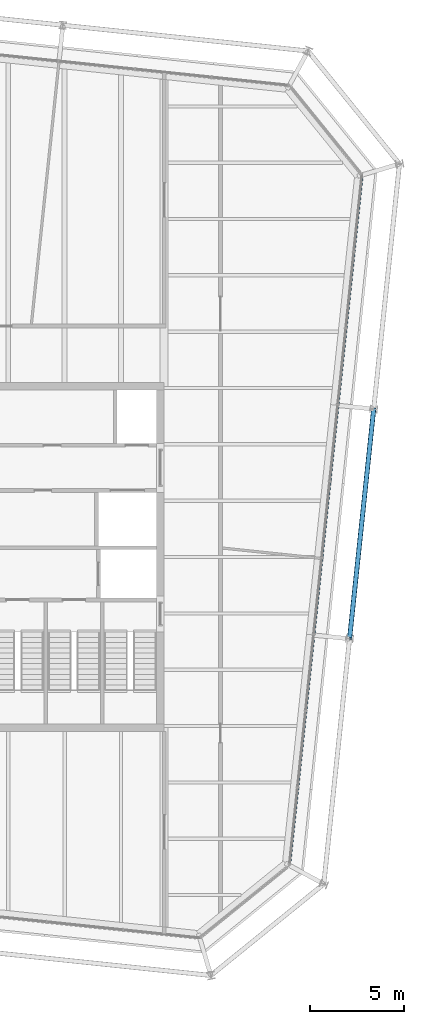
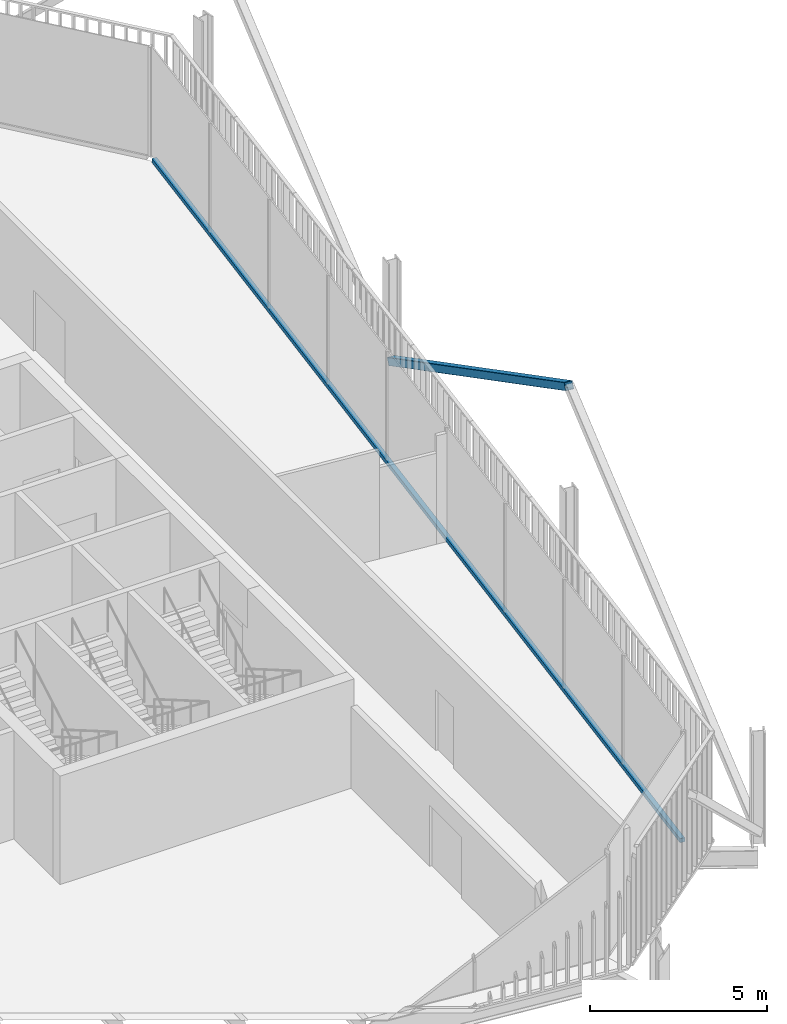
# One storey, part 10 of 21: 2 members, 1 element without a shape of its own.
"""IFC4 building model written with IfcOpenShell, lengths in metres."""

import ifcopenshell
import ifcopenshell.guid

model = None  # the IFC model being written
_history = None  # IfcOwnerHistory: only IFC2X3 demands one
_inside = {}  # id of a spatial element -> (the spatial element, [elements in it])
_under = {}  # id of a project, library or spatial element -> (it, [spatial elements below it])
_declared = {}  # id of a project -> (the project, [libraries it declares])
_typed = {}  # id of a type object -> (the type object, [elements of that type])
_made_of = {}  # id of a material, layer set ... -> (it, [elements and type objects made of it])


def new_model(schema):
    """Start an empty IFC model of exactly this schema.

    Asked for "IFC4X3", IfcOpenShell would pick the latest addendum, in which some entities
    have other attributes; the version numbers below select the first issue.
    IFC2X3 requires an IfcOwnerHistory on every rooted entity: one is made here for all.
    """
    global model, _history
    if schema == "IFC4X3":
        model = ifcopenshell.file(schema_version=(4, 3, 0, 0))
    else:
        model = ifcopenshell.file(schema=schema)
    _inside.clear()
    _under.clear()
    _declared.clear()
    _typed.clear()
    _made_of.clear()
    _history = None
    if model.schema == "IFC2X3":
        org = make("IfcOrganization", Name="unknown")
        user = make(
            "IfcPersonAndOrganization",
            ThePerson=make("IfcPerson", FamilyName="unknown"),
            TheOrganization=org,
        )
        app = make(
            "IfcApplication",
            ApplicationDeveloper=org,
            Version="unknown",
            ApplicationFullName="unknown",
            ApplicationIdentifier="unknown",
        )
        _history = make(
            "IfcOwnerHistory",
            OwningUser=user,
            OwningApplication=app,
            ChangeAction="ADDED",
            CreationDate=0,
        )
    return model


def make(cls, **values):
    """One entity of the class cls with the attributes given. An attribute that is None is left unset."""
    return model.create_entity(
        cls, **{name: value for name, value in values.items() if value is not None}
    )


def rooted(cls, **values):
    """An entity with a GlobalId (a new one), such as an element, a storey or a relation."""
    return make(cls, GlobalId=ifcopenshell.guid.new(), OwnerHistory=_history, **values)


def si_unit(unit_type, name, prefix=None):
    """IfcSIUnit, for example si_unit("LENGTHUNIT", "METRE", prefix="MILLI")."""
    return make("IfcSIUnit", UnitType=unit_type, Prefix=prefix, Name=name)


def assignment(units):
    """IfcUnitAssignment: the units of a project."""
    return None if units is None else make("IfcUnitAssignment", Units=units)


def point(xyz):
    """IfcCartesianPoint."""
    return None if xyz is None else make("IfcCartesianPoint", Coordinates=xyz)


def direction(xyz):
    """IfcDirection."""
    return None if xyz is None else make("IfcDirection", DirectionRatios=xyz)


def frame(location, z_axis=None, x_axis=None):
    """IfcAxis2Placement3D, a coordinate frame: its origin and axes. An axis left out is left unset."""
    return make(
        "IfcAxis2Placement3D",
        Location=point(location),
        Axis=direction(z_axis),
        RefDirection=direction(x_axis),
    )


def frame_2d(location, x_axis=None):
    """IfcAxis2Placement2D, a coordinate frame in the plane: its origin and x axis."""
    return make(
        "IfcAxis2Placement2D", Location=point(location), RefDirection=direction(x_axis)
    )


def origin():
    """The frame at (0, 0, 0) with its axes left unset."""
    return frame((0.0, 0.0, 0.0))


def origin_2d():
    """The frame at (0, 0) in the plane with its x axis left unset."""
    return frame_2d((0.0, 0.0))


def place(relative_to, where):
    """IfcLocalPlacement: puts the frame where relative to a parent placement (None: the world)."""
    return make(
        "IfcLocalPlacement", PlacementRelTo=relative_to, RelativePlacement=where
    )


def context(
    kind, dimensions, precision=None, world=None, true_north=None, identifier=None
):
    """IfcGeometricRepresentationContext, for example the 3D "Model" context."""
    return make(
        "IfcGeometricRepresentationContext",
        ContextIdentifier=identifier,
        ContextType=kind,
        CoordinateSpaceDimension=dimensions,
        Precision=precision,
        WorldCoordinateSystem=world,
        TrueNorth=true_north,
    )


def subcontext(parent, identifier, kind, view, scale=None):
    """IfcGeometricRepresentationSubContext, for example "Body" below "Model"."""
    return make(
        "IfcGeometricRepresentationSubContext",
        ContextIdentifier=identifier,
        ContextType=kind,
        ParentContext=parent,
        TargetScale=scale,
        TargetView=view,
    )


def project(units=None, contexts=None):
    """IfcProject with its units and contexts."""
    return rooted(
        "IfcProject",
        Name="project",
        RepresentationContexts=contexts,
        UnitsInContext=assignment(units),
    )


def spatial(cls, under=None, at=None, **own):
    """A site, building, storey or space (cls), placed at a placement, below another one or the project."""
    s = rooted(cls, ObjectPlacement=at, **own)
    if under is not None:
        _under.setdefault(under.id(), (under, []))[1].append(s)
    return s


def profile(cls, at=None, kind="AREA", **sizes):
    """A parametric profile (cls). Its sizes go by their IFC names, for example OverallWidth=200.0."""
    return make(cls, ProfileType=kind, Position=at, **sizes)


def rectangle(**sizes):
    """IfcRectangleProfileDef."""
    return profile("IfcRectangleProfileDef", **sizes)


def hollow_rectangle(**sizes):
    """IfcRectangleHollowProfileDef."""
    return profile("IfcRectangleHollowProfileDef", **sizes)


def extrude(swept, where, along, depth):
    """IfcExtrudedAreaSolid: the profile swept, set in the frame where, extruded along a direction by depth."""
    return make(
        "IfcExtrudedAreaSolid",
        SweptArea=swept,
        Position=where,
        ExtrudedDirection=direction(along),
        Depth=depth,
    )


def shape(context_of_items, identifier, shape_type, items):
    """IfcShapeRepresentation: the items that make up one representation, for example the "Body"."""
    return make(
        "IfcShapeRepresentation",
        ContextOfItems=context_of_items,
        RepresentationIdentifier=identifier,
        RepresentationType=shape_type,
        Items=items,
    )


def material(Name=None, Category=None):
    """IfcMaterial."""
    return make("IfcMaterial", Name=Name, Category=Category)


def layer(
    of_material, thickness, ventilated=None, Name=None, Category=None, Priority=None
):
    """IfcMaterialLayer: one layer of a wall or slab, of a material (None: an air gap)."""
    return make(
        "IfcMaterialLayer",
        Material=of_material,
        LayerThickness=thickness,
        IsVentilated=ventilated,
        Name=Name,
        Category=Category,
        Priority=Priority,
    )


def layer_set(layers, Name=None):
    """IfcMaterialLayerSet."""
    return make("IfcMaterialLayerSet", MaterialLayers=layers, LayerSetName=Name)


def material_profile(
    of_material, cross_section, Name=None, Category=None, Priority=None
):
    """IfcMaterialProfile: a cross section and its material."""
    return make(
        "IfcMaterialProfile",
        Name=Name,
        Material=of_material,
        Profile=cross_section,
        Priority=Priority,
        Category=Category,
    )


def profile_set(profiles, Name=None, composite=None):
    """IfcMaterialProfileSet."""
    return make(
        "IfcMaterialProfileSet",
        Name=Name,
        MaterialProfiles=profiles,
        CompositeProfile=composite,
    )


def made_of(thing, what):
    """Note that an element or type object is made of a material, layer set ...; save() writes the relation."""
    if what is not None:
        _made_of.setdefault(what.id(), (what, []))[1].append(thing)
    return thing


def type_object(cls, material=None, **own):
    """A type object (cls), such as IfcWallType, which elements share."""
    return made_of(rooted(cls, **own), material)


def element(
    cls,
    number,
    at=None,
    inside=None,
    cuts=None,
    type_object=None,
    material=None,
    context=None,
    identifier="Body",
    shape_type=None,
    held_by="IfcProductDefinitionShape",
    body=None,
    shapes=None,
    **own,
):
    """One element of the class cls, such as IfcWall. Its Tag is "e" and its number.

    at: its placement. inside: the storey or other place that contains it. cuts: it is an
    opening in that element (IfcRelVoidsElement). A single representation is given by context,
    identifier, shape_type and body (its items); several are given by shapes. held_by: the class
    of the entity that holds the representations. save() writes the other relations.
    """
    e = rooted(cls, Tag="e%d" % number, ObjectPlacement=at, **own)
    if body is not None:
        shapes = [shape(context, identifier, shape_type, body)]
    if shapes is not None:
        e.Representation = make(held_by, Representations=shapes)
    if inside is not None:
        _inside.setdefault(inside.id(), (inside, []))[1].append(e)
    if cuts is not None:
        rooted(
            "IfcRelVoidsElement", RelatingBuildingElement=cuts, RelatedOpeningElement=e
        )
    if type_object is not None:
        _typed.setdefault(type_object.id(), (type_object, []))[1].append(e)
    return made_of(e, material)


def aggregate(whole, parts):
    """IfcRelAggregates: a whole, such as a stair, and the parts it consists of."""
    return rooted("IfcRelAggregates", RelatingObject=whole, RelatedObjects=parts)


def save(model, path):
    """Write the relations noted so far, then the file.

    IfcRelAggregates (storeys below a building ...), IfcRelContainedInSpatialStructure (elements
    in a storey), IfcRelDefinesByType, IfcRelAssociatesMaterial and IfcRelDeclares: one each for
    every whole, place, type object, material and project.
    """
    for whole, parts in _under.values():
        aggregate(whole, parts)
    for where, things in _inside.values():
        rooted(
            "IfcRelContainedInSpatialStructure",
            RelatedElements=things,
            RelatingStructure=where,
        )
    for kind, things in _typed.values():
        rooted("IfcRelDefinesByType", RelatedObjects=things, RelatingType=kind)
    for what, things in _made_of.values():
        rooted("IfcRelAssociatesMaterial", RelatedObjects=things, RelatingMaterial=what)
    for by, libraries in _declared.values():
        rooted("IfcRelDeclares", RelatingContext=by, RelatedDefinitions=libraries)
    model.write(path)


model = new_model("IFC4")

# Units and contexts
model_context = context("Model", 3, precision=1e-05, world=origin(), true_north=direction((0.0, 1.0)))
body_context = subcontext(model_context, "Body", "Model", "MODEL_VIEW")
ifc_project = project(units=[si_unit("LENGTHUNIT", "METRE"), si_unit("AREAUNIT", "SQUARE_METRE"), si_unit("VOLUMEUNIT", "CUBIC_METRE"), si_unit("PLANEANGLEUNIT", "RADIAN"), si_unit("MASSUNIT", "GRAM", prefix="KILO")], contexts=[model_context])

# Site, building, storey
site_placement = place(None, origin())
site = spatial("IfcSite", under=ifc_project, at=site_placement, CompositionType="ELEMENT")
building_placement = place(site_placement, origin())
building = spatial("IfcBuilding", under=site, at=building_placement, Name="Millrace Tower", CompositionType="ELEMENT")
storey_placement = place(building_placement, frame((0.0, 0.0, 283.800048828125)))
storey = spatial("IfcBuildingStorey", under=building, at=storey_placement, Name="L65", CompositionType="ELEMENT", Elevation=283.800048828125)

# Curtain wall, member
ifc_material_1 = material(Name="Aluminium and glass", Category="aluminium")
ifc_layer = layer(ifc_material_1, 0.14990234375)
ifc_layer_set = layer_set([ifc_layer], Name="Aluminium and glass")
curtain_wall_type = type_object("IfcCurtainWallType", Name="CW-1 office vision curtain wall", PredefinedType="NOTDEFINED", material=ifc_layer_set)
curtain_wall_placement = place(storey_placement, origin())
curtain_wall = element("IfcCurtainWall", 1, at=curtain_wall_placement, inside=storey, type_object=curtain_wall_type, Name="Curtain wall E-F04 L65", PredefinedType="NOTDEFINED")
ifc_material_2 = material(Name="Aluminium", Category="aluminium")
ifc_material_profile_1 = material_profile(ifc_material_2, rectangle(XDim=0.14990234375, YDim=0.139892578125, at=origin_2d()))
ifc_profile_set_1 = profile_set([ifc_material_profile_1], Name="Aluminium")
member_type_1 = type_object("IfcMemberType", Name="CW-1 office vision curtain wall transom", PredefinedType="USERDEFINED", material=ifc_profile_set_1)
member_1_placement = place(storey_placement, frame((20.98193359375, -16.285400390625, 0.070068359375), z_axis=(0.104527916025, 0.994521952886, 0.0), x_axis=(-0.994521952886, 0.104527916025, 0.0)))
member_1 = element("IfcMember", 2, at=member_1_placement, type_object=member_type_1, Name="CW1 transom E-F04.1", ObjectType="TRANSOM", PredefinedType="USERDEFINED", context=body_context, shape_type="SweptSolid", body=[
    extrude(rectangle(XDim=0.14990234375, YDim=0.139892578125, at=origin_2d()), origin(), (0.0, 0.0, 1.0), 36.699951171875),
])
aggregate(curtain_wall, [member_1])

# Member
ifc_material_3 = material(Name="Steel ASTM A500 Grade C", Category="steel")
ifc_material_profile_2 = material_profile(ifc_material_3, hollow_rectangle(XDim=0.25390625, YDim=0.25390625, WallThickness=0.0126953125, InnerFilletRadius=0.00634765625, OuterFilletRadius=0.01904296875, at=origin_2d()))
ifc_profile_set_2 = profile_set([ifc_material_profile_2], Name="Steel ASTM A500 Grade C")
member_type_2 = type_object("IfcMemberType", Name="Exoskeleton brace HSS10x10x1/2", PredefinedType="BRACE", material=ifc_profile_set_2)
member_2_placement = place(storey_placement, frame((25.457275390625, 7.879150390625, 0.39990234375), z_axis=(-0.090844087175, -0.864347159857, 0.494622420713), x_axis=(0.994522189618, -0.10452566363, 0.0)))
element("IfcMember", 3, at=member_2_placement, inside=storey, type_object=member_type_2, Name="BRC-E-L65-07", PredefinedType="BRACE", context=body_context, shape_type="SweptSolid", body=[
    extrude(hollow_rectangle(XDim=0.25390625, YDim=0.25390625, WallThickness=0.0126953125, InnerFilletRadius=0.00634765625, OuterFilletRadius=0.01904296875, at=origin_2d()), origin(), (0.0, 0.0, 1.0), 14.152099609375),
])

save(model, "model.ifc")
